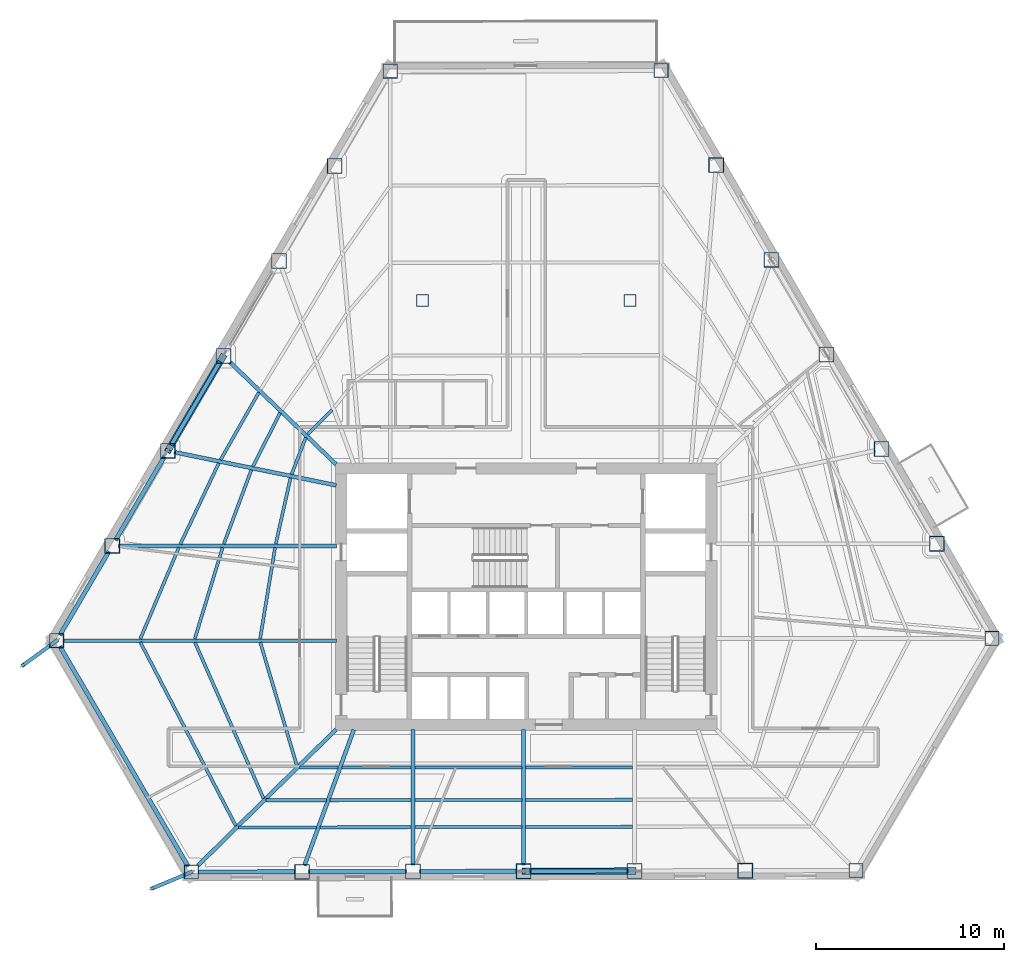
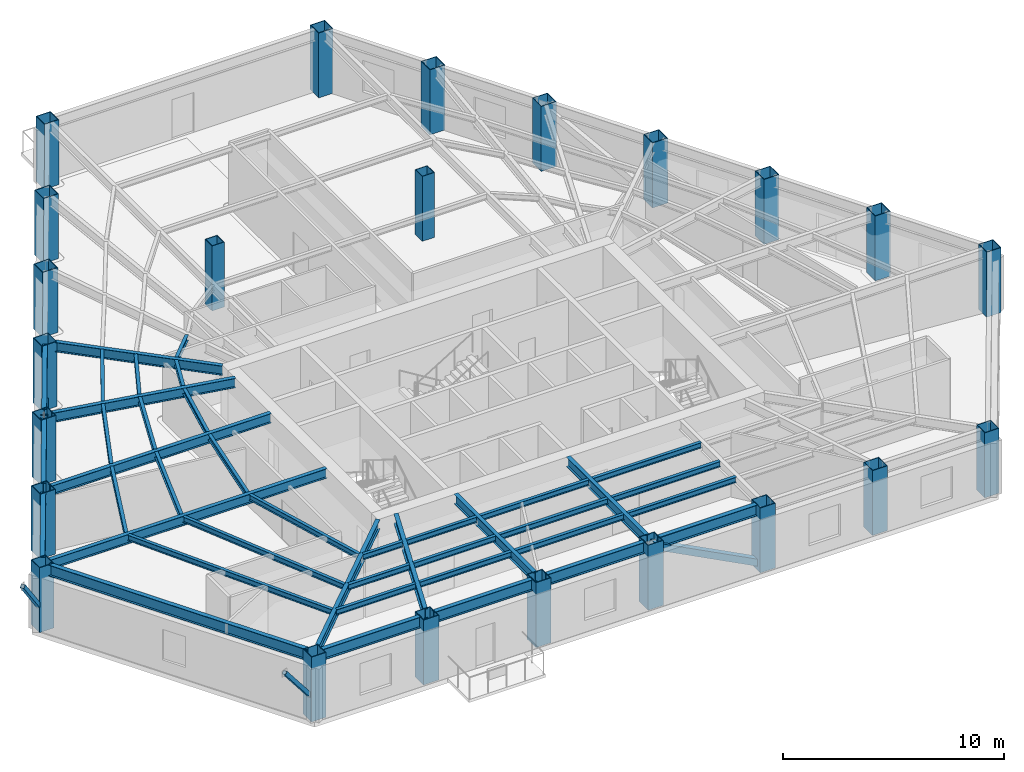
# One storey, part 1 of 15: 41 beams, 23 columns, 4 members.
"""IFC4 building model written with IfcOpenShell, lengths in metres."""

from ifc_helpers import new_model, si_unit, direction, frame, origin, origin_2d, place, context, subcontext, project, spatial, hollow_rectangle, i_section, extrude, material, material_profile, profile_set, type_object, element, save


model = new_model("IFC4")

# Units and contexts
model_context = context("Model", 3, precision=1e-05, world=origin(), true_north=direction((0.0, 1.0)))
body_context = subcontext(model_context, "Body", "Model", "MODEL_VIEW")
ifc_project = project(units=[si_unit("LENGTHUNIT", "METRE"), si_unit("AREAUNIT", "SQUARE_METRE"), si_unit("VOLUMEUNIT", "CUBIC_METRE"), si_unit("PLANEANGLEUNIT", "RADIAN"), si_unit("MASSUNIT", "GRAM", prefix="KILO")], contexts=[model_context])

# Site, building, storey
site_placement = place(None, origin())
site = spatial("IfcSite", under=ifc_project, at=site_placement, CompositionType="ELEMENT")
building_placement = place(site_placement, origin())
building = spatial("IfcBuilding", under=site, at=building_placement, Name="Kavelnor Concourse Tower", CompositionType="ELEMENT")
storey_placement = place(building_placement, frame((0.0, 0.0, 63.75)))
storey = spatial("IfcBuildingStorey", under=building, at=storey_placement, Name="L16", CompositionType="ELEMENT", Elevation=63.75)

# Columns
ifc_material = material(Name="Steel Grade 350", Category="steel")
ifc_material_profile_1 = material_profile(ifc_material, hollow_rectangle(XDim=0.760009765625, YDim=0.760009765625, WallThickness=0.034912109375, at=origin_2d()), Name="SHS 760x760x35")
ifc_profile_set_1 = profile_set([ifc_material_profile_1], Name="Steel Grade 350")
column_type_1 = type_object("IfcColumnType", Name="COL-FOLD-Z1", PredefinedType="COLUMN", material=ifc_profile_set_1)
for number, where, z_axis, x_axis, name in (
    (1, (30.781005859375, 43.982421875, 0.0), (0.0, 0.0, 1.0), (1.0, 0.0, 0.0), "L16 Perimeter Corner-Fold Column F0-B0"),
    (2, (13.07568359375, 13.755859375, 0.0), (0.0, 0.0, 1.0), (1.0, 0.0, 0.0), "L16 Perimeter Corner-Fold Column F0-B6"),
    (3, (20.2275390625, 1.478759765625, 0.0), (0.0, 0.0, 1.0), (1.0, 0.0, 0.0), "L16 Perimeter Corner-Fold Column F1-B0"),
    (4, (55.49853515625, 1.563720703125, 0.0), (0.0, 0.0, 1.0), (1.0, 0.0, 0.0), "L16 Perimeter Corner-Fold Column F1-B6"),
    (5, (62.71240234375, 13.87939453125, 0.0), (0.0, 0.0, 1.0), (1.0, 0.0, 0.0), "L16 Perimeter Corner-Fold Column F2-B0"),
    (6, (45.15673828125, 44.016845703125, 0.0), (0.0, 0.0, 1.0), (1.0, 0.0, 0.0), "L16 Perimeter Corner-Fold Column F2-B6"),
):
    element("IfcColumn", number, at=place(storey_placement, frame(where, z_axis=z_axis, x_axis=x_axis)), inside=storey, type_object=column_type_1, Name=name, PredefinedType="COLUMN", context=body_context, shape_type="SweptSolid", body=[
        extrude(hollow_rectangle(XDim=0.760009765625, YDim=0.760009765625, WallThickness=0.034912109375, at=origin_2d()), origin(), (0.0, 0.0, 1.0), 3.590087890625),
    ])
ifc_material_profile_2 = material_profile(ifc_material, hollow_rectangle(XDim=0.800048828125, YDim=0.800048828125, WallThickness=0.035888671875, at=origin_2d()), Name="SHS 800x800x36")
ifc_profile_set_2 = profile_set([ifc_material_profile_2], Name="Steel Grade 350")
column_type_2 = type_object("IfcColumnType", Name="COL-TUBE-Z1", PredefinedType="COLUMN", material=ifc_profile_set_2)
for number, where, z_axis, x_axis, name in (
    (7, (27.830078125, 38.944580078125, 0.0), (0.0, 0.0, 1.0), (1.0, 0.0, 0.0), "L16 Perimeter Framed-Tube Column F0-B1"),
    (8, (24.87939453125, 33.90673828125, 0.0), (0.0, 0.0, 1.0), (1.0, 0.0, 0.0), "L16 Perimeter Framed-Tube Column F0-B2"),
    (9, (21.928466796875, 28.869140625, 0.0), (0.0, 0.0, 1.0), (1.0, 0.0, 0.0), "L16 Perimeter Framed-Tube Column F0-B3"),
    (10, (18.9775390625, 23.831298828125, 0.0), (0.0, 0.0, 1.0), (1.0, 0.0, 0.0), "L16 Perimeter Framed-Tube Column F0-B4"),
    (11, (16.026611328125, 18.793701171875, 0.0), (0.0, 0.0, 1.0), (1.0, 0.0, 0.0), "L16 Perimeter Framed-Tube Column F0-B5"),
    (12, (26.10595703125, 1.492919921875, 0.0), (0.0, 0.0, 1.0), (1.0, 0.0, 0.0), "L16 Perimeter Framed-Tube Column F1-B1"),
    (13, (31.984619140625, 1.507080078125, 0.0), (0.0, 0.0, 1.0), (1.0, 0.0, 0.0), "L16 Perimeter Framed-Tube Column F1-B2"),
    (14, (37.863037109375, 1.521240234375, 0.0), (0.0, 0.0, 1.0), (1.0, 0.0, 0.0), "L16 Perimeter Framed-Tube Column F1-B3"),
    (15, (43.741455078125, 1.535400390625, 0.0), (0.0, 0.0, 1.0), (1.0, 0.0, 0.0), "L16 Perimeter Framed-Tube Column F1-B4"),
    (16, (49.6201171875, 1.549560546875, 0.0), (0.0, 0.0, 1.0), (1.0, 0.0, 0.0), "L16 Perimeter Framed-Tube Column F1-B5"),
    (17, (59.78662109375, 18.90234375, 0.0), (0.0, 0.0, 1.0), (1.0, 0.0, 0.0), "L16 Perimeter Framed-Tube Column F2-B1"),
    (18, (56.860595703125, 23.92529296875, 0.0), (0.0, 0.0, 1.0), (1.0, 0.0, 0.0), "L16 Perimeter Framed-Tube Column F2-B2"),
    (19, (53.9345703125, 28.9482421875, 0.0), (0.0, 0.0, 1.0), (1.0, 0.0, 0.0), "L16 Perimeter Framed-Tube Column F2-B3"),
    (20, (51.008544921875, 33.970947265625, 0.0), (0.0, 0.0, 1.0), (1.0, 0.0, 0.0), "L16 Perimeter Framed-Tube Column F2-B4"),
    (21, (48.082763671875, 38.993896484375, 0.0), (0.0, 0.0, 1.0), (1.0, 0.0, 0.0), "L16 Perimeter Framed-Tube Column F2-B5"),
):
    element("IfcColumn", number, at=place(storey_placement, frame(where, z_axis=z_axis, x_axis=x_axis)), inside=storey, type_object=column_type_2, Name=name, PredefinedType="COLUMN", context=body_context, shape_type="SweptSolid", body=[
        extrude(hollow_rectangle(XDim=0.800048828125, YDim=0.800048828125, WallThickness=0.035888671875, at=origin_2d()), origin(), (0.0, 0.0, 1.0), 3.590087890625),
    ])
ifc_material_profile_3 = material_profile(ifc_material, hollow_rectangle(XDim=0.639892578125, YDim=0.639892578125, WallThickness=0.028076171875, at=origin_2d()), Name="SHS 640x640x28")
ifc_profile_set_3 = profile_set([ifc_material_profile_3], Name="Steel Grade 350")
column_type_3 = type_object("IfcColumnType", Name="COL-TUBE-Z3", PredefinedType="COLUMN", material=ifc_profile_set_3)
for number, where, z_axis, x_axis, name in (
    (22, (32.5, 31.800048828125, 0.0), (0.0, 0.0, 1.0), (1.0, 0.0, 0.0), "L16 North Interior Gravity Column BC-NW"),
    (23, (43.5, 31.800048828125, 0.0), (0.0, 0.0, 1.0), (1.0, 0.0, 0.0), "L16 North Interior Gravity Column BC-NE"),
):
    element("IfcColumn", number, at=place(storey_placement, frame(where, z_axis=z_axis, x_axis=x_axis)), inside=storey, type_object=column_type_3, Name=name, PredefinedType="COLUMN", context=body_context, shape_type="SweptSolid", body=[
        extrude(hollow_rectangle(XDim=0.639892578125, YDim=0.639892578125, WallThickness=0.028076171875, at=origin_2d()), origin(), (0.0, 0.0, 1.0), 3.590087890625),
    ])

# Beams
ifc_material_profile_4 = material_profile(ifc_material, i_section(OverallWidth=0.166015625, OverallDepth=0.306884765625, WebThickness=0.006591796875, FlangeThickness=0.01171875, at=origin_2d()), Name="310UB46")
ifc_profile_set_4 = profile_set([ifc_material_profile_4], Name="Steel Grade 350")
beam_type_1 = type_object("IfcBeamType", Name="BM-JOIST-310", PredefinedType="JOIST", material=ifc_profile_set_4)
beam_1_placement = place(storey_placement, frame((23.886962890625, 13.66162109375, 3.4365234375), z_axis=(0.284523265971, -0.958669135375, 0.0), x_axis=(0.958669135375, 0.284523265971, 0.0)))
element("IfcBeam", 24, at=beam_1_placement, inside=storey, type_object=beam_type_1, Name="L16 Secondary Composite Joist 01-1", PredefinedType="JOIST", context=body_context, shape_type="SweptSolid", body=[
    extrude(i_section(OverallWidth=0.166015625, OverallDepth=0.306884765625, WebThickness=0.006591796875, FlangeThickness=0.01171875, at=origin_2d()), origin(), (0.0, 0.0, 1.0), 6.822509765625),
])
beam_2_placement = place(storey_placement, frame((20.41748046875, 13.665771484375, 3.4365234375), z_axis=(0.402344294063, -0.91548843195, 0.0), x_axis=(0.91548843195, 0.402344294063, 0.0)))
element("IfcBeam", 25, at=beam_2_placement, inside=storey, type_object=beam_type_1, Name="L16 Secondary Composite Joist 01-2", PredefinedType="JOIST", context=body_context, shape_type="SweptSolid", body=[
    extrude(i_section(OverallWidth=0.166015625, OverallDepth=0.306884765625, WebThickness=0.006591796875, FlangeThickness=0.01171875, at=origin_2d()), origin(), (0.0, 0.0, 1.0), 9.04736328125),
])
beam_3_placement = place(storey_placement, frame((17.5224609375, 13.66845703125, 3.4365234375), z_axis=(0.461504773286, -0.887137725629, 0.0), x_axis=(0.887137725629, 0.461504773286, 0.0)))
element("IfcBeam", 26, at=beam_3_placement, inside=storey, type_object=beam_type_1, Name="L16 Secondary Composite Joist 01-3", PredefinedType="JOIST", context=body_context, shape_type="SweptSolid", body=[
    extrude(i_section(OverallWidth=0.166015625, OverallDepth=0.306884765625, WebThickness=0.006591796875, FlangeThickness=0.01171875, at=origin_2d()), origin(), (0.0, 0.0, 1.0), 10.97119140625),
])
beam_4_placement = place(storey_placement, frame((25.95458984375, 7.026611328125, 3.4365234375), z_axis=(0.999996608372, -0.002604466128, 0.0), x_axis=(0.002604466128, 0.999996608372, 0.0)))
element("IfcBeam", 27, at=beam_4_placement, inside=storey, type_object=beam_type_1, Name="L16 Secondary Composite Joist 02-1", PredefinedType="JOIST", context=body_context, shape_type="SweptSolid", body=[
    extrude(i_section(OverallWidth=0.166015625, OverallDepth=0.306884765625, WebThickness=0.006591796875, FlangeThickness=0.01171875, at=origin_2d()), origin(), (0.0, 0.0, 1.0), 2.062255859375),
])
beam_5_placement = place(storey_placement, frame((24.19580078125, 5.29296875, 3.4365234375), z_axis=(0.999999988306, -0.000152928581, 0.0), x_axis=(0.000152928581, 0.999999988306, 0.0)))
element("IfcBeam", 28, at=beam_5_placement, inside=storey, type_object=beam_type_1, Name="L16 Secondary Composite Joist 02-2", PredefinedType="JOIST", context=body_context, shape_type="SweptSolid", body=[
    extrude(i_section(OverallWidth=0.166015625, OverallDepth=0.306884765625, WebThickness=0.006591796875, FlangeThickness=0.01171875, at=origin_2d()), origin(), (0.0, 0.0, 1.0), 3.19287109375),
])
beam_6_placement = place(storey_placement, frame((22.729736328125, 3.84814453125, 3.4365234375), z_axis=(0.999999607872, 0.000885582366, 0.0), x_axis=(-0.000885582366, 0.999999607872, 0.0)))
element("IfcBeam", 29, at=beam_6_placement, inside=storey, type_object=beam_type_1, Name="L16 Secondary Composite Joist 02-3", PredefinedType="JOIST", context=body_context, shape_type="SweptSolid", body=[
    extrude(i_section(OverallWidth=0.166015625, OverallDepth=0.306884765625, WebThickness=0.006591796875, FlangeThickness=0.01171875, at=origin_2d()), origin(), (0.0, 0.0, 1.0), 4.13525390625),
])
beam_7_placement = place(storey_placement, frame((28.2138671875, 7.02099609375, 3.4365234375), z_axis=(0.999999115952, 0.001329697648, 0.0), x_axis=(-0.001329697648, 0.999999115952, 0.0)))
element("IfcBeam", 30, at=beam_7_placement, inside=storey, type_object=beam_type_1, Name="L16 Secondary Composite Joist 03-1", PredefinedType="JOIST", context=body_context, shape_type="SweptSolid", body=[
    extrude(i_section(OverallWidth=0.166015625, OverallDepth=0.306884765625, WebThickness=0.006591796875, FlangeThickness=0.01171875, at=origin_2d()), origin(), (0.0, 0.0, 1.0), 3.672119140625),
])
beam_8_placement = place(storey_placement, frame((27.585693359375, 5.29248046875, 3.4365234375), z_axis=(0.999998644657, 0.001646415391, 0.0), x_axis=(-0.001646415391, 0.999998644657, 0.0)))
element("IfcBeam", 31, at=beam_8_placement, inside=storey, type_object=beam_type_1, Name="L16 Secondary Composite Joist 03-2", PredefinedType="JOIST", context=body_context, shape_type="SweptSolid", body=[
    extrude(i_section(OverallWidth=0.166015625, OverallDepth=0.306884765625, WebThickness=0.006591796875, FlangeThickness=0.01171875, at=origin_2d()), origin(), (0.0, 0.0, 1.0), 4.30029296875),
])
beam_9_placement = place(storey_placement, frame((27.06201171875, 3.85205078125, 3.4365234375), z_axis=(0.999998340245, 0.001821951528, 0.0), x_axis=(-0.001821951528, 0.999998340245, 0.0)))
element("IfcBeam", 32, at=beam_9_placement, inside=storey, type_object=beam_type_1, Name="L16 Secondary Composite Joist 03-3", PredefinedType="JOIST", context=body_context, shape_type="SweptSolid", body=[
    extrude(i_section(OverallWidth=0.166015625, OverallDepth=0.306884765625, WebThickness=0.006591796875, FlangeThickness=0.01171875, at=origin_2d()), origin(), (0.0, 0.0, 1.0), 4.823974609375),
])
for number, where, z_axis, x_axis, name in (
    (33, (32.0830078125, 7.026123046875, 3.4365234375), (0.999999792259, 0.000644578956, 0.0), (-0.000644578956, 0.999999792259, 0.0), "L16 Secondary Composite Joist 04-1"),
    (34, (32.0830078125, 5.2998046875, 3.4365234375), (0.999999223511, 0.001246185273, 0.0), (-0.001246185273, 0.999999223511, 0.0), "L16 Secondary Composite Joist 04-2"),
    (35, (32.0830078125, 3.861328125, 3.4365234375), (0.999998522733, 0.001718875034, 0.0), (-0.001718875034, 0.999998522733, 0.0), "L16 Secondary Composite Joist 04-3"),
):
    element("IfcBeam", number, at=place(storey_placement, frame(where, z_axis=z_axis, x_axis=x_axis)), inside=storey, type_object=beam_type_1, Name=name, PredefinedType="JOIST", context=body_context, shape_type="SweptSolid", body=[
        extrude(i_section(OverallWidth=0.166015625, OverallDepth=0.306884765625, WebThickness=0.006591796875, FlangeThickness=0.01171875, at=origin_2d()), origin(), (0.0, 0.0, 1.0), 5.681396484375),
    ])
for number, where, z_axis, x_axis, name in (
    (36, (37.96142578125, 7.030029296875, 3.4365234375), (0.999999792277, 0.000644551258, 0.0), (-0.000644551258, 0.999999792277, 0.0), "L16 Secondary Composite Joist 05-1"),
    (37, (37.96142578125, 5.30712890625, 3.4365234375), (0.999999223578, 0.001246131724, 0.0), (-0.001246131724, 0.999999223578, 0.0), "L16 Secondary Composite Joist 05-2"),
    (38, (37.96142578125, 3.871337890625, 3.4365234375), (0.99999844808, 0.001761771071, 0.0), (-0.001761771071, 0.99999844808, 0.0), "L16 Secondary Composite Joist 05-3"),
):
    element("IfcBeam", number, at=place(storey_placement, frame(where, z_axis=z_axis, x_axis=x_axis)), inside=storey, type_object=beam_type_1, Name=name, PredefinedType="JOIST", context=body_context, shape_type="SweptSolid", body=[
        extrude(i_section(OverallWidth=0.166015625, OverallDepth=0.306884765625, WebThickness=0.006591796875, FlangeThickness=0.01171875, at=origin_2d()), origin(), (0.0, 0.0, 1.0), 5.681640625),
    ])
beam_10_placement = place(storey_placement, frame((27.697509765625, 26.005126953125, 3.4365234375), z_axis=(-0.704911329758, -0.709295437162, 0.0), x_axis=(0.709295437162, -0.704911329758, 0.0)))
element("IfcBeam", 39, at=beam_10_placement, inside=storey, type_object=beam_type_1, Name="L16 Secondary Composite Joist 18-1", PredefinedType="JOIST", context=body_context, shape_type="SweptSolid", body=[
    extrude(i_section(OverallWidth=0.166015625, OverallDepth=0.306884765625, WebThickness=0.006591796875, FlangeThickness=0.01171875, at=origin_2d()), origin(), (0.0, 0.0, 1.0), 1.837646484375),
])
beam_11_placement = place(storey_placement, frame((26.29736328125, 24.539794921875, 3.4365234375), z_axis=(-0.358572848944, -0.933501747186, 0.0), x_axis=(0.933501747186, -0.358572848944, 0.0)))
element("IfcBeam", 40, at=beam_11_placement, inside=storey, type_object=beam_type_1, Name="L16 Secondary Composite Joist 19-1", PredefinedType="JOIST", context=body_context, shape_type="SweptSolid", body=[
    extrude(i_section(OverallWidth=0.166015625, OverallDepth=0.306884765625, WebThickness=0.006591796875, FlangeThickness=0.01171875, at=origin_2d()), origin(), (0.0, 0.0, 1.0), 2.09423828125),
])
beam_12_placement = place(storey_placement, frame((24.93701171875, 25.84375, 3.4365234375), z_axis=(-0.453575742696, -0.891217731891, 0.0), x_axis=(0.891217731891, -0.453575742696, 0.0)))
element("IfcBeam", 41, at=beam_12_placement, inside=storey, type_object=beam_type_1, Name="L16 Secondary Composite Joist 19-2", PredefinedType="JOIST", context=body_context, shape_type="SweptSolid", body=[
    extrude(i_section(OverallWidth=0.166015625, OverallDepth=0.306884765625, WebThickness=0.006591796875, FlangeThickness=0.01171875, at=origin_2d()), origin(), (0.0, 0.0, 1.0), 3.18701171875),
])
beam_13_placement = place(storey_placement, frame((23.80712890625, 26.92919921875, 3.4365234375), z_axis=(-0.494053265869, -0.869431636464, 0.0), x_axis=(0.869431636464, -0.494053265869, 0.0)))
element("IfcBeam", 42, at=beam_13_placement, inside=storey, type_object=beam_type_1, Name="L16 Secondary Composite Joist 19-3", PredefinedType="JOIST", context=body_context, shape_type="SweptSolid", body=[
    extrude(i_section(OverallWidth=0.166015625, OverallDepth=0.306884765625, WebThickness=0.006591796875, FlangeThickness=0.01171875, at=origin_2d()), origin(), (0.0, 0.0, 1.0), 4.1123046875),
])
beam_14_placement = place(storey_placement, frame((25.489501953125, 22.396484375, 3.4365234375), z_axis=(-0.217901573004, -0.975970749809, 0.0), x_axis=(0.975970749809, -0.217901573004, 0.0)))
element("IfcBeam", 43, at=beam_14_placement, inside=storey, type_object=beam_type_1, Name="L16 Secondary Composite Joist 20-1", PredefinedType="JOIST", context=body_context, shape_type="SweptSolid", body=[
    extrude(i_section(OverallWidth=0.166015625, OverallDepth=0.306884765625, WebThickness=0.006591796875, FlangeThickness=0.01171875, at=origin_2d()), origin(), (0.0, 0.0, 1.0), 3.59326171875),
])
beam_15_placement = place(storey_placement, frame((23.412353515625, 22.823486328125, 3.4365234375), z_axis=(-0.348880896447, -0.937167071602, 0.0), x_axis=(0.937167071602, -0.348880896447, 0.0)))
element("IfcBeam", 44, at=beam_15_placement, inside=storey, type_object=beam_type_1, Name="L16 Secondary Composite Joist 20-2", PredefinedType="JOIST", context=body_context, shape_type="SweptSolid", body=[
    extrude(i_section(OverallWidth=0.166015625, OverallDepth=0.306884765625, WebThickness=0.006591796875, FlangeThickness=0.01171875, at=origin_2d()), origin(), (0.0, 0.0, 1.0), 4.201416015625),
])
beam_16_placement = place(storey_placement, frame((21.684326171875, 23.17919921875, 3.4365234375), z_axis=(-0.428992948922, -0.903307837769, 0.0), x_axis=(0.903307837769, -0.428992948922, 0.0)))
element("IfcBeam", 45, at=beam_16_placement, inside=storey, type_object=beam_type_1, Name="L16 Secondary Composite Joist 20-3", PredefinedType="JOIST", context=body_context, shape_type="SweptSolid", body=[
    extrude(i_section(OverallWidth=0.166015625, OverallDepth=0.306884765625, WebThickness=0.006591796875, FlangeThickness=0.01171875, at=origin_2d()), origin(), (0.0, 0.0, 1.0), 4.756591796875),
])
beam_17_placement = place(storey_placement, frame((24.669189453125, 18.6962890625, 3.4365234375), z_axis=(-0.161865556808, -0.9868128199, 0.0), x_axis=(0.9868128199, -0.161865556808, 0.0)))
element("IfcBeam", 46, at=beam_17_placement, inside=storey, type_object=beam_type_1, Name="L16 Secondary Composite Joist 21-1", PredefinedType="JOIST", context=body_context, shape_type="SweptSolid", body=[
    extrude(i_section(OverallWidth=0.166015625, OverallDepth=0.306884765625, WebThickness=0.006591796875, FlangeThickness=0.01171875, at=origin_2d()), origin(), (0.0, 0.0, 1.0), 4.907958984375),
])
beam_18_placement = place(storey_placement, frame((21.883544921875, 18.699462890625, 3.4365234375), z_axis=(-0.291370498384, -0.956610282545, 0.0), x_axis=(0.956610282545, -0.291370498384, 0.0)))
element("IfcBeam", 47, at=beam_18_placement, inside=storey, type_object=beam_type_1, Name="L16 Secondary Composite Joist 21-2", PredefinedType="JOIST", context=body_context, shape_type="SweptSolid", body=[
    extrude(i_section(OverallWidth=0.166015625, OverallDepth=0.306884765625, WebThickness=0.006591796875, FlangeThickness=0.01171875, at=origin_2d()), origin(), (0.0, 0.0, 1.0), 5.0693359375),
])
beam_19_placement = place(storey_placement, frame((19.563232421875, 18.702880859375, 3.4365234375), z_axis=(-0.388562250322, -0.921422475103, 0.0), x_axis=(0.921422475103, -0.388562250322, 0.0)))
element("IfcBeam", 48, at=beam_19_placement, inside=storey, type_object=beam_type_1, Name="L16 Secondary Composite Joist 21-3", PredefinedType="JOIST", context=body_context, shape_type="SweptSolid", body=[
    extrude(i_section(OverallWidth=0.166015625, OverallDepth=0.306884765625, WebThickness=0.006591796875, FlangeThickness=0.01171875, at=origin_2d()), origin(), (0.0, 0.0, 1.0), 5.270263671875),
])
ifc_material_profile_5 = material_profile(ifc_material, i_section(OverallWidth=0.208984375, OverallDepth=0.528076171875, WebThickness=0.009521484375, FlangeThickness=0.01318359375, at=origin_2d()), Name="530UB82")
ifc_profile_set_5 = profile_set([ifc_material_profile_5], Name="Steel Grade 350")
beam_type_2 = type_object("IfcBeamType", Name="BM-PRIMARY-530", PredefinedType="BEAM", material=ifc_profile_set_5)
beam_20_placement = place(storey_placement, frame((27.90869140625, 23.115478515625, 3.325927734375), z_axis=(-0.720633040272, 0.693316681804, 0.0), x_axis=(-0.693316681804, -0.720633040272, 0.0)))
element("IfcBeam", 49, at=beam_20_placement, inside=storey, type_object=beam_type_2, Name="L16 Primary Floor Girder F0-B3", PredefinedType="BEAM", context=body_context, shape_type="SweptSolid", body=[
    extrude(i_section(OverallWidth=0.208984375, OverallDepth=0.528076171875, WebThickness=0.009521484375, FlangeThickness=0.01318359375, at=origin_2d()), origin(), (0.0, 0.0, 1.0), 7.811279296875),
])
beam_21_placement = place(storey_placement, frame((27.919189453125, 21.999267578125, 3.325927734375), z_axis=(-0.979643523766, 0.200745028189, 0.0), x_axis=(-0.200745028189, -0.979643523766, 0.0)))
element("IfcBeam", 50, at=beam_21_placement, inside=storey, type_object=beam_type_2, Name="L16 Primary Floor Girder F0-B4", PredefinedType="BEAM", context=body_context, shape_type="SweptSolid", body=[
    extrude(i_section(OverallWidth=0.208984375, OverallDepth=0.528076171875, WebThickness=0.009521484375, FlangeThickness=0.01318359375, at=origin_2d()), origin(), (0.0, 0.0, 1.0), 8.779541015625),
])
beam_22_placement = place(storey_placement, frame((27.919921875, 18.793701171875, 3.325927734375), z_axis=(-1.0, 0.0, 0.0), x_axis=(0.0, -1.0, 0.0)))
element("IfcBeam", 51, at=beam_22_placement, inside=storey, type_object=beam_type_2, Name="L16 Primary Floor Girder F0-B5", PredefinedType="BEAM", context=body_context, shape_type="SweptSolid", body=[
    extrude(i_section(OverallWidth=0.208984375, OverallDepth=0.528076171875, WebThickness=0.009521484375, FlangeThickness=0.01318359375, at=origin_2d()), origin(), (0.0, 0.0, 1.0), 11.55322265625),
])
beam_23_placement = place(storey_placement, frame((27.919921875, 13.755859375, 3.325927734375), z_axis=(-1.0, 0.0, 0.0), x_axis=(0.0, -1.0, 0.0)))
element("IfcBeam", 52, at=beam_23_placement, inside=storey, type_object=beam_type_2, Name="L16 Primary Floor Girder F0-B6", PredefinedType="BEAM", context=body_context, shape_type="SweptSolid", body=[
    extrude(i_section(OverallWidth=0.208984375, OverallDepth=0.528076171875, WebThickness=0.009521484375, FlangeThickness=0.01318359375, at=origin_2d()), origin(), (0.0, 0.0, 1.0), 14.504150390625),
])
beam_24_placement = place(storey_placement, frame((27.908447265625, 9.049560546875, 3.325927734375), z_axis=(-0.71218883553, -0.701987936183, 0.0), x_axis=(0.701987936183, -0.71218883553, 0.0)))
element("IfcBeam", 53, at=beam_24_placement, inside=storey, type_object=beam_type_2, Name="L16 Primary Floor Girder F1-B0", PredefinedType="BEAM", context=body_context, shape_type="SweptSolid", body=[
    extrude(i_section(OverallWidth=0.208984375, OverallDepth=0.528076171875, WebThickness=0.009521484375, FlangeThickness=0.01318359375, at=origin_2d()), origin(), (0.0, 0.0, 1.0), 10.291259765625),
])
beam_25_placement = place(storey_placement, frame((28.848388671875, 9.03759765625, 3.325927734375), z_axis=(-0.341612605051, -0.939840852523, 0.0), x_axis=(0.939840852523, -0.341612605051, 0.0)))
element("IfcBeam", 54, at=beam_25_placement, inside=storey, type_object=beam_type_2, Name="L16 Primary Floor Girder F1-B1", PredefinedType="BEAM", context=body_context, shape_type="SweptSolid", body=[
    extrude(i_section(OverallWidth=0.208984375, OverallDepth=0.528076171875, WebThickness=0.009521484375, FlangeThickness=0.01318359375, at=origin_2d()), origin(), (0.0, 0.0, 1.0), 7.663330078125),
])
beam_26_placement = place(storey_placement, frame((31.984619140625, 9.0400390625, 3.325927734375), z_axis=(0.0, -1.0, 0.0), x_axis=(1.0, 0.0, 0.0)))
element("IfcBeam", 55, at=beam_26_placement, inside=storey, type_object=beam_type_2, Name="L16 Primary Floor Girder F1-B2", PredefinedType="BEAM", context=body_context, shape_type="SweptSolid", body=[
    extrude(i_section(OverallWidth=0.208984375, OverallDepth=0.528076171875, WebThickness=0.009521484375, FlangeThickness=0.01318359375, at=origin_2d()), origin(), (0.0, 0.0, 1.0), 7.19287109375),
])
beam_27_placement = place(storey_placement, frame((37.863037109375, 9.0400390625, 3.325927734375), z_axis=(0.0, -1.0, 0.0), x_axis=(1.0, 0.0, 0.0)))
element("IfcBeam", 56, at=beam_27_placement, inside=storey, type_object=beam_type_2, Name="L16 Primary Floor Girder F1-B3", PredefinedType="BEAM", context=body_context, shape_type="SweptSolid", body=[
    extrude(i_section(OverallWidth=0.208984375, OverallDepth=0.528076171875, WebThickness=0.009521484375, FlangeThickness=0.01318359375, at=origin_2d()), origin(), (0.0, 0.0, 1.0), 7.178955078125),
])
ifc_material_profile_6 = material_profile(ifc_material, i_section(OverallWidth=0.22900390625, OverallDepth=0.612060546875, WebThickness=0.011962890625, FlangeThickness=0.01953125, at=origin_2d()), Name="610UB125")
ifc_profile_set_6 = profile_set([ifc_material_profile_6], Name="Steel Grade 350")
beam_type_3 = type_object("IfcBeamType", Name="BM-SPANDREL-Z1", PredefinedType="SPANDREL", material=ifc_profile_set_6)
beam_28_placement = place(storey_placement, frame((21.75390625, 28.5712890625, 3.283935546875), z_axis=(-0.50540058932, -0.862884838385, 0.0), x_axis=(0.862884838385, -0.50540058932, 0.0)))
element("IfcBeam", 57, at=beam_28_placement, inside=storey, type_object=beam_type_3, Name="L16 Perimeter Tube Spandrel Beam F0-B3", PredefinedType="SPANDREL", context=body_context, shape_type="SweptSolid", body=[
    extrude(i_section(OverallWidth=0.22900390625, OverallDepth=0.612060546875, WebThickness=0.011962890625, FlangeThickness=0.01953125, at=origin_2d()), origin(), (0.0, 0.0, 1.0), 5.14794921875),
])
beam_29_placement = place(storey_placement, frame((18.80322265625, 23.53369140625, 3.283935546875), z_axis=(-0.505415217159, -0.862876270542, 0.0), x_axis=(0.862876270542, -0.505415217159, 0.0)))
element("IfcBeam", 58, at=beam_29_placement, inside=storey, type_object=beam_type_3, Name="L16 Perimeter Tube Spandrel Beam F0-B4", PredefinedType="SPANDREL", context=body_context, shape_type="SweptSolid", body=[
    extrude(i_section(OverallWidth=0.22900390625, OverallDepth=0.612060546875, WebThickness=0.011962890625, FlangeThickness=0.01953125, at=origin_2d()), origin(), (0.0, 0.0, 1.0), 5.1484375),
])
beam_30_placement = place(storey_placement, frame((15.852294921875, 18.495849609375, 3.283935546875), z_axis=(-0.505435898761, -0.86286415631, 0.0), x_axis=(0.86286415631, -0.505435898761, 0.0)))
element("IfcBeam", 59, at=beam_30_placement, inside=storey, type_object=beam_type_3, Name="L16 Perimeter Tube Spandrel Beam F0-B5", PredefinedType="SPANDREL", context=body_context, shape_type="SweptSolid", body=[
    extrude(i_section(OverallWidth=0.22900390625, OverallDepth=0.612060546875, WebThickness=0.011962890625, FlangeThickness=0.01953125, at=origin_2d()), origin(), (0.0, 0.0, 1.0), 5.148193359375),
])
for number, where, z_axis, x_axis, name in (
    (60, (20.572509765625, 1.4794921875, 3.283935546875), (0.999997006529, 0.002446821209, 0.0), (-0.002446821209, 0.999997006529, 0.0), "L16 Perimeter Tube Spandrel Beam F1-B0"),
    (61, (26.450927734375, 1.49365234375, 3.283935546875), (0.999997006529, 0.002446821209, 0.0), (-0.002446821209, 0.999997006529, 0.0), "L16 Perimeter Tube Spandrel Beam F1-B1"),
    (62, (32.32958984375, 1.5078125, 3.283935546875), (0.999997006529, 0.002446821209, 0.0), (-0.002446821209, 0.999997006529, 0.0), "L16 Perimeter Tube Spandrel Beam F1-B2"),
    (63, (38.2080078125, 1.52197265625, 3.283935546875), (0.999997006529, 0.002446821209, 0.0), (-0.002446821209, 0.999997006529, 0.0), "L16 Perimeter Tube Spandrel Beam F1-B3"),
):
    element("IfcBeam", number, at=place(storey_placement, frame(where, z_axis=z_axis, x_axis=x_axis)), inside=storey, type_object=beam_type_3, Name=name, PredefinedType="SPANDREL", context=body_context, shape_type="SweptSolid", body=[
        extrude(i_section(OverallWidth=0.22900390625, OverallDepth=0.612060546875, WebThickness=0.011962890625, FlangeThickness=0.01953125, at=origin_2d()), origin(), (0.0, 0.0, 1.0), 5.1884765625),
    ])
beam_31_placement = place(storey_placement, frame((13.24951171875, 13.457763671875, 3.283935546875), z_axis=(0.503337545556, -0.864089876826, 0.0), x_axis=(0.864089876826, 0.503337545556, 0.0)))
element("IfcBeam", 64, at=beam_31_placement, inside=storey, type_object=beam_type_3, Name="L16 Chamfer Facet Spandrel Beam C1", PredefinedType="SPANDREL", context=body_context, shape_type="SweptSolid", body=[
    extrude(i_section(OverallWidth=0.22900390625, OverallDepth=0.612060546875, WebThickness=0.011962890625, FlangeThickness=0.01953125, at=origin_2d()), origin(), (0.0, 0.0, 1.0), 13.51806640625),
])

# Members
ifc_material_profile_7 = material_profile(ifc_material, hollow_rectangle(XDim=0.199951171875, YDim=0.199951171875, WallThickness=0.011962890625, at=origin_2d()), Name="SHS 200x200x12")
ifc_profile_set_7 = profile_set([ifc_material_profile_7], Name="Steel Grade 350")
member_type_1 = type_object("IfcMemberType", Name="MBR-TERR-STRUT-200", PredefinedType="STRUT", material=ifc_profile_set_7)
member_1_placement = place(storey_placement, frame((13.07568359375, 13.755859375, 0.89990234375), z_axis=(-0.508122941585, -0.370647996586, 0.777451695517), x_axis=(0.589319224324, -0.807900273451, 0.0)))
element("IfcMember", 65, at=member_1_placement, inside=storey, type_object=member_type_1, Name="L16 Spiral Terrace Raking Knee Strut C1-A", PredefinedType="STRUT", context=body_context, shape_type="SweptSolid", body=[
    extrude(hollow_rectangle(XDim=0.199951171875, YDim=0.199951171875, WallThickness=0.011962890625, at=origin_2d()), origin(), (0.0, 0.0, 1.0), 3.51806640625),
])
member_2_placement = place(storey_placement, frame((20.2275390625, 1.478759765625, 0.89990234375), z_axis=(-0.586331169917, -0.244953682601, 0.772148594873), x_axis=(0.385485502908, -0.922713892302, 0.0)))
element("IfcMember", 66, at=member_2_placement, inside=storey, type_object=member_type_1, Name="L16 Spiral Terrace Raking Knee Strut C1-B", PredefinedType="STRUT", context=body_context, shape_type="SweptSolid", body=[
    extrude(hollow_rectangle(XDim=0.199951171875, YDim=0.199951171875, WallThickness=0.011962890625, at=origin_2d()), origin(), (0.0, 0.0, 1.0), 3.542236328125),
])
ifc_material_profile_8 = material_profile(ifc_material, hollow_rectangle(XDim=0.35009765625, YDim=0.35009765625, WallThickness=0.02001953125, at=origin_2d()), Name="SHS 350x350x20")
ifc_profile_set_8 = profile_set([ifc_material_profile_8], Name="Steel Grade 350")
member_type_2 = type_object("IfcMemberType", Name="MBR-TUBE-DIAG-Z1", PredefinedType="BRACE", material=ifc_profile_set_8)
member_3_placement = place(storey_placement, frame((21.928466796875, 28.869140625, 0.219970703125), z_axis=(-0.447543503557, -0.764048994449, 0.464686933866), x_axis=(0.862869032449, -0.505427574277, 0.0)))
element("IfcMember", 67, at=member_3_placement, inside=storey, type_object=member_type_2, Name="L16 Framed-Tube Bracing Diagonal F0-B3", PredefinedType="BRACE", context=body_context, shape_type="SweptSolid", body=[
    extrude(hollow_rectangle(XDim=0.35009765625, YDim=0.35009765625, WallThickness=0.02001953125, at=origin_2d()), origin(), (0.0, 0.0, 1.0), 6.593505859375),
])
member_4_placement = place(storey_placement, frame((43.741455078125, 1.535400390625, 0.219970703125), z_axis=(-0.886770562286, -0.002136086577, 0.462204940472), x_axis=(0.002408830955, -0.999997098763, 0.0)))
element("IfcMember", 68, at=member_4_placement, inside=storey, type_object=member_type_2, Name="L16 Framed-Tube Bracing Diagonal F1-B3", PredefinedType="BRACE", context=body_context, shape_type="SweptSolid", body=[
    extrude(hollow_rectangle(XDim=0.35009765625, YDim=0.35009765625, WallThickness=0.02001953125, at=origin_2d()), origin(), (0.0, 0.0, 1.0), 6.62890625),
])

save(model, "model.ifc")
